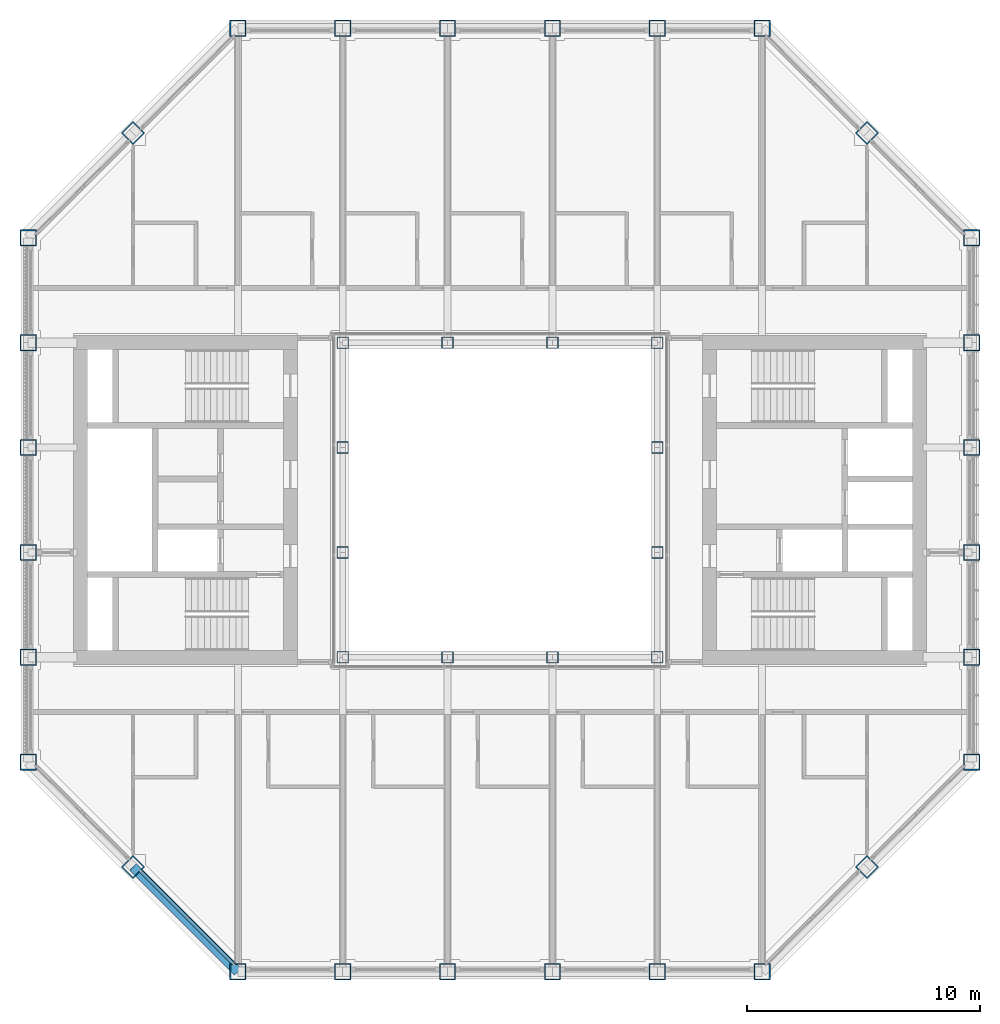
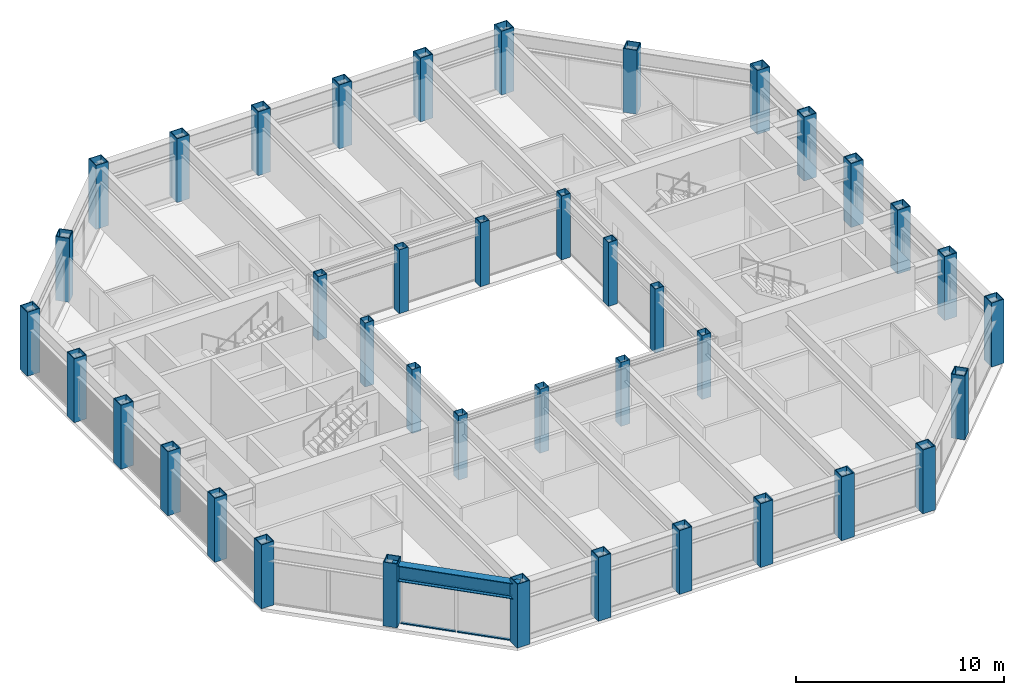
# One storey, part 1 of 18: 40 columns, 4 members, 1 beam, 1 element without a shape of its own.
"""IFC4 building model written with IfcOpenShell, lengths in metres."""

from ifc_helpers import new_model, si_unit, direction, frame, origin, origin_2d, place, context, subcontext, project, spatial, rectangle, hollow_rectangle, i_section, extrude, material, material_profile, profile_set, type_object, element, aggregate, save


model = new_model("IFC4")

# Units and contexts
model_context = context("Model", 3, precision=1e-05, world=origin(), true_north=direction((0.0, 1.0)))
body_context = subcontext(model_context, "Body", "Model", "MODEL_VIEW")
ifc_project = project(units=[si_unit("LENGTHUNIT", "METRE"), si_unit("AREAUNIT", "SQUARE_METRE"), si_unit("VOLUMEUNIT", "CUBIC_METRE"), si_unit("PLANEANGLEUNIT", "RADIAN"), si_unit("MASSUNIT", "GRAM", prefix="KILO")], contexts=[model_context])

# Site, building, storey
site_placement = place(None, origin())
site = spatial("IfcSite", under=ifc_project, at=site_placement, CompositionType="ELEMENT")
building_placement = place(site_placement, origin())
building = spatial("IfcBuilding", under=site, at=building_placement, Name="Msasa Ring Tower", CompositionType="ELEMENT")
storey_placement = place(building_placement, frame((0.0, 0.0, 200.800048828125)))
storey = spatial("IfcBuildingStorey", under=building, at=storey_placement, Name="L52", CompositionType="ELEMENT", Elevation=200.800048828125)

# Columns
ifc_material_1 = material(Name="Steel S355", Category="steel")
ifc_material_profile_1 = material_profile(ifc_material_1, hollow_rectangle(XDim=0.5, YDim=0.5, WallThickness=0.030029296875, at=origin_2d()), Name="BOX 500x500x30")
ifc_profile_set_1 = profile_set([ifc_material_profile_1], Name="Steel S355")
column_type_1 = type_object("IfcColumnType", Name="IC6 BOX 500x500x30", PredefinedType="COLUMN", material=ifc_profile_set_1)
for number, where, z_axis, x_axis, name in (
    (1, (-6.75, -6.75, 0.0), (0.0, 0.0, 1.0), (1.0, 0.0, 0.0), "Inner ring column IR-6.75-6.75 L52"),
    (2, (-6.75, -2.25, 0.0), (0.0, 0.0, 1.0), (1.0, 0.0, 0.0), "Inner ring column IR-6.75-2.25 L52"),
    (3, (-6.75, 2.25, 0.0), (0.0, 0.0, 1.0), (1.0, 0.0, 0.0), "Inner ring column IR-6.75+2.25 L52"),
    (4, (-6.75, 6.75, 0.0), (0.0, 0.0, 1.0), (1.0, 0.0, 0.0), "Inner ring column IR-6.75+6.75 L52"),
    (5, (-2.25, -6.75, 0.0), (0.0, 0.0, 1.0), (1.0, 0.0, 0.0), "Inner ring column IR-2.25-6.75 L52"),
    (6, (-2.25, 6.75, 0.0), (0.0, 0.0, 1.0), (1.0, 0.0, 0.0), "Inner ring column IR-2.25+6.75 L52"),
    (7, (2.25, -6.75, 0.0), (0.0, 0.0, 1.0), (1.0, 0.0, 0.0), "Inner ring column IR+2.25-6.75 L52"),
    (8, (2.25, 6.75, 0.0), (0.0, 0.0, 1.0), (1.0, 0.0, 0.0), "Inner ring column IR+2.25+6.75 L52"),
    (9, (6.75, -6.75, 0.0), (0.0, 0.0, 1.0), (1.0, 0.0, 0.0), "Inner ring column IR+6.75-6.75 L52"),
    (10, (6.75, -2.25, 0.0), (0.0, 0.0, 1.0), (1.0, 0.0, 0.0), "Inner ring column IR+6.75-2.25 L52"),
    (11, (6.75, 2.25, 0.0), (0.0, 0.0, 1.0), (1.0, 0.0, 0.0), "Inner ring column IR+6.75+2.25 L52"),
    (12, (6.75, 6.75, 0.0), (0.0, 0.0, 1.0), (1.0, 0.0, 0.0), "Inner ring column IR+6.75+6.75 L52"),
):
    element("IfcColumn", number, at=place(storey_placement, frame(where, z_axis=z_axis, x_axis=x_axis)), inside=storey, type_object=column_type_1, Name=name, PredefinedType="COLUMN", context=body_context, shape_type="SweptSolid", body=[
        extrude(hollow_rectangle(XDim=0.5, YDim=0.5, WallThickness=0.030029296875, at=origin_2d()), origin(), (0.0, 0.0, 1.0), 3.75),
    ])
ifc_material_2 = material(Name="Steel S355", Category="steel")
ifc_material_profile_2 = material_profile(ifc_material_2, hollow_rectangle(XDim=0.699951171875, YDim=0.699951171875, WallThickness=0.044921875, at=origin_2d()), Name="BOX 700x700x45")
ifc_profile_set_2 = profile_set([ifc_material_profile_2], Name="Steel S355")
column_type_2 = type_object("IfcColumnType", Name="TC6 BOX 700x700x45", PredefinedType="COLUMN", material=ifc_profile_set_2)
for number, where, z_axis, x_axis, name in (
    (13, (-11.25, -20.25, 0.0), (0.0, 0.0, 1.0), (0.0, 1.0, 0.0), "Tube column S-11.25 L52"),
    (14, (-11.25, 20.25, 0.0), (0.0, 0.0, 1.0), (0.0, 1.0, 0.0), "Tube column N-11.25 L52"),
    (15, (20.25, -11.25, 0.0), (0.0, 0.0, 1.0), (1.0, 0.0, 0.0), "Tube column E-11.25 L52"),
    (16, (-20.25, -11.25, 0.0), (0.0, 0.0, 1.0), (1.0, 0.0, 0.0), "Tube column W-11.25 L52"),
    (17, (-6.75, -20.25, 0.0), (0.0, 0.0, 1.0), (0.0, 1.0, 0.0), "Tube column S-6.75 L52"),
    (18, (-6.75, 20.25, 0.0), (0.0, 0.0, 1.0), (0.0, 1.0, 0.0), "Tube column N-6.75 L52"),
    (19, (20.25, -6.75, 0.0), (0.0, 0.0, 1.0), (1.0, 0.0, 0.0), "Tube column E-6.75 L52"),
    (20, (-20.25, -6.75, 0.0), (0.0, 0.0, 1.0), (1.0, 0.0, 0.0), "Tube column W-6.75 L52"),
    (21, (-2.25, -20.25, 0.0), (0.0, 0.0, 1.0), (0.0, 1.0, 0.0), "Tube column S-2.25 L52"),
    (22, (-2.25, 20.25, 0.0), (0.0, 0.0, 1.0), (0.0, 1.0, 0.0), "Tube column N-2.25 L52"),
    (23, (20.25, -2.25, 0.0), (0.0, 0.0, 1.0), (1.0, 0.0, 0.0), "Tube column E-2.25 L52"),
    (24, (-20.25, -2.25, 0.0), (0.0, 0.0, 1.0), (1.0, 0.0, 0.0), "Tube column W-2.25 L52"),
    (25, (2.25, -20.25, 0.0), (0.0, 0.0, 1.0), (0.0, 1.0, 0.0), "Tube column S+2.25 L52"),
    (26, (2.25, 20.25, 0.0), (0.0, 0.0, 1.0), (0.0, 1.0, 0.0), "Tube column N+2.25 L52"),
    (27, (20.25, 2.25, 0.0), (0.0, 0.0, 1.0), (1.0, 0.0, 0.0), "Tube column E+2.25 L52"),
    (28, (-20.25, 2.25, 0.0), (0.0, 0.0, 1.0), (1.0, 0.0, 0.0), "Tube column W+2.25 L52"),
    (29, (6.75, -20.25, 0.0), (0.0, 0.0, 1.0), (0.0, 1.0, 0.0), "Tube column S+6.75 L52"),
    (30, (6.75, 20.25, 0.0), (0.0, 0.0, 1.0), (0.0, 1.0, 0.0), "Tube column N+6.75 L52"),
    (31, (20.25, 6.75, 0.0), (0.0, 0.0, 1.0), (1.0, 0.0, 0.0), "Tube column E+6.75 L52"),
    (32, (-20.25, 6.75, 0.0), (0.0, 0.0, 1.0), (1.0, 0.0, 0.0), "Tube column W+6.75 L52"),
    (33, (11.25, -20.25, 0.0), (0.0, 0.0, 1.0), (0.0, 1.0, 0.0), "Tube column S+11.25 L52"),
    (34, (11.25, 20.25, 0.0), (0.0, 0.0, 1.0), (0.0, 1.0, 0.0), "Tube column N+11.25 L52"),
    (35, (20.25, 11.25, 0.0), (0.0, 0.0, 1.0), (1.0, 0.0, 0.0), "Tube column E+11.25 L52"),
    (36, (-20.25, 11.25, 0.0), (0.0, 0.0, 1.0), (1.0, 0.0, 0.0), "Tube column W+11.25 L52"),
    (37, (15.75, -15.75, 0.0), (0.0, 0.0, 1.0), (0.707106781187, -0.707106781187, 0.0), "Tube column SE L52"),
    (38, (15.75, 15.75, 0.0), (0.0, 0.0, 1.0), (0.707106781187, 0.707106781187, 0.0), "Tube column NE L52"),
    (39, (-15.75, 15.75, 0.0), (0.0, 0.0, 1.0), (0.707106781187, -0.707106781187, 0.0), "Tube column NW L52"),
    (40, (-15.75, -15.75, 0.0), (0.0, 0.0, 1.0), (0.707106781187, 0.707106781187, 0.0), "Tube column SW L52"),
):
    element("IfcColumn", number, at=place(storey_placement, frame(where, z_axis=z_axis, x_axis=x_axis)), inside=storey, type_object=column_type_2, Name=name, PredefinedType="COLUMN", context=body_context, shape_type="SweptSolid", body=[
        extrude(hollow_rectangle(XDim=0.699951171875, YDim=0.699951171875, WallThickness=0.044921875, at=origin_2d()), origin(), (0.0, 0.0, 1.0), 3.75),
    ])

# Curtain wall, members
ifc_material_3 = material(Name="Aluminium curtain wall with clear glass", Category="aluminium")
curtain_wall_type = type_object("IfcCurtainWallType", Name="CW-C CHAMFER CORNER CURTAIN WALL", PredefinedType="NOTDEFINED", material=ifc_material_3)
curtain_wall_placement = place(storey_placement, origin())
curtain_wall = element("IfcCurtainWall", 41, at=curtain_wall_placement, inside=storey, type_object=curtain_wall_type, Name="Chamfer corner curtain wall SW L52", PredefinedType="NOTDEFINED")
ifc_material_4 = material(Name="Aluminium transom", Category="aluminium")
ifc_material_profile_3 = material_profile(ifc_material_4, rectangle(XDim=0.139892578125, YDim=0.06494140625, at=origin_2d()), Name="AL 65x140")
ifc_profile_set_3 = profile_set([ifc_material_profile_3], Name="Aluminium transom")
member_type = type_object("IfcMemberType", Name="CW-C TRANSOM 65x140", PredefinedType="USERDEFINED", material=ifc_profile_set_3)
member_1_placement = place(storey_placement, frame((-15.38232421875, -15.976318359375, 0.032470703125), z_axis=(0.707106781187, -0.707106781187, 0.0), x_axis=(0.707106781187, 0.707106781187, 0.0)))
member_1 = element("IfcMember", 42, at=member_1_placement, type_object=member_type, Name="CW-C transom 1.1", ObjectType="TRANSOM", PredefinedType="USERDEFINED", context=body_context, shape_type="SweptSolid", body=[
    extrude(rectangle(XDim=0.139892578125, YDim=0.06494140625, at=origin_2d()), origin(), (0.0, 0.0, 1.0), 2.729248046875),
])
member_2_placement = place(storey_placement, frame((-15.38232421875, -15.976318359375, 2.596435546875), z_axis=(0.707106781187, -0.707106781187, 0.0), x_axis=(0.707106781187, 0.707106781187, 0.0)))
member_2 = element("IfcMember", 43, at=member_2_placement, type_object=member_type, Name="CW-C transom 1.2", ObjectType="TRANSOM", PredefinedType="USERDEFINED", context=body_context, shape_type="SweptSolid", body=[
    extrude(rectangle(XDim=0.139892578125, YDim=0.06494140625, at=origin_2d()), origin(), (0.0, 0.0, 1.0), 2.729248046875),
])
member_3_placement = place(storey_placement, frame((-13.40625, -17.952392578125, 0.032470703125), z_axis=(0.707106781187, -0.707106781187, 0.0), x_axis=(0.707106781187, 0.707106781187, 0.0)))
member_3 = element("IfcMember", 44, at=member_3_placement, type_object=member_type, Name="CW-C transom 2.1", ObjectType="TRANSOM", PredefinedType="USERDEFINED", context=body_context, shape_type="SweptSolid", body=[
    extrude(rectangle(XDim=0.139892578125, YDim=0.06494140625, at=origin_2d()), origin(), (0.0, 0.0, 1.0), 2.729248046875),
])
member_4_placement = place(storey_placement, frame((-13.40625, -17.952392578125, 2.596435546875), z_axis=(0.707106781187, -0.707106781187, 0.0), x_axis=(0.707106781187, 0.707106781187, 0.0)))
member_4 = element("IfcMember", 45, at=member_4_placement, type_object=member_type, Name="CW-C transom 2.2", ObjectType="TRANSOM", PredefinedType="USERDEFINED", context=body_context, shape_type="SweptSolid", body=[
    extrude(rectangle(XDim=0.139892578125, YDim=0.06494140625, at=origin_2d()), origin(), (0.0, 0.0, 1.0), 2.729248046875),
])
aggregate(curtain_wall, [member_1, member_2, member_3, member_4])

# Beam
ifc_material_5 = material(Name="Steel S355", Category="steel")
ifc_material_profile_4 = material_profile(ifc_material_5, i_section(OverallWidth=0.42041015625, OverallDepth=0.9208984375, WebThickness=0.021484375, FlangeThickness=0.03662109375, FilletRadius=0.024169921875, at=origin_2d()), Name="UB 914x419x388")
ifc_profile_set_4 = profile_set([ifc_material_profile_4], Name="Steel S355")
beam_type = type_object("IfcBeamType", Name="SB1 UB 914x419x388", PredefinedType="SPANDREL", material=ifc_profile_set_4)
beam_placement = place(storey_placement, frame((-15.75, -15.75, 3.08935546875), z_axis=(0.707106781187, -0.707106781187, 0.0), x_axis=(0.707106781187, 0.707106781187, 0.0)))
element("IfcBeam", 46, at=beam_placement, inside=storey, type_object=beam_type, Name="Spandrel SW to S-11.25 under L53", PredefinedType="SPANDREL", context=body_context, shape_type="SweptSolid", body=[
    extrude(i_section(OverallWidth=0.42041015625, OverallDepth=0.9208984375, WebThickness=0.021484375, FlangeThickness=0.03662109375, FilletRadius=0.024169921875, at=origin_2d()), origin(), (0.0, 0.0, 1.0), 6.364013671875),
])

save(model, "model.ifc")
